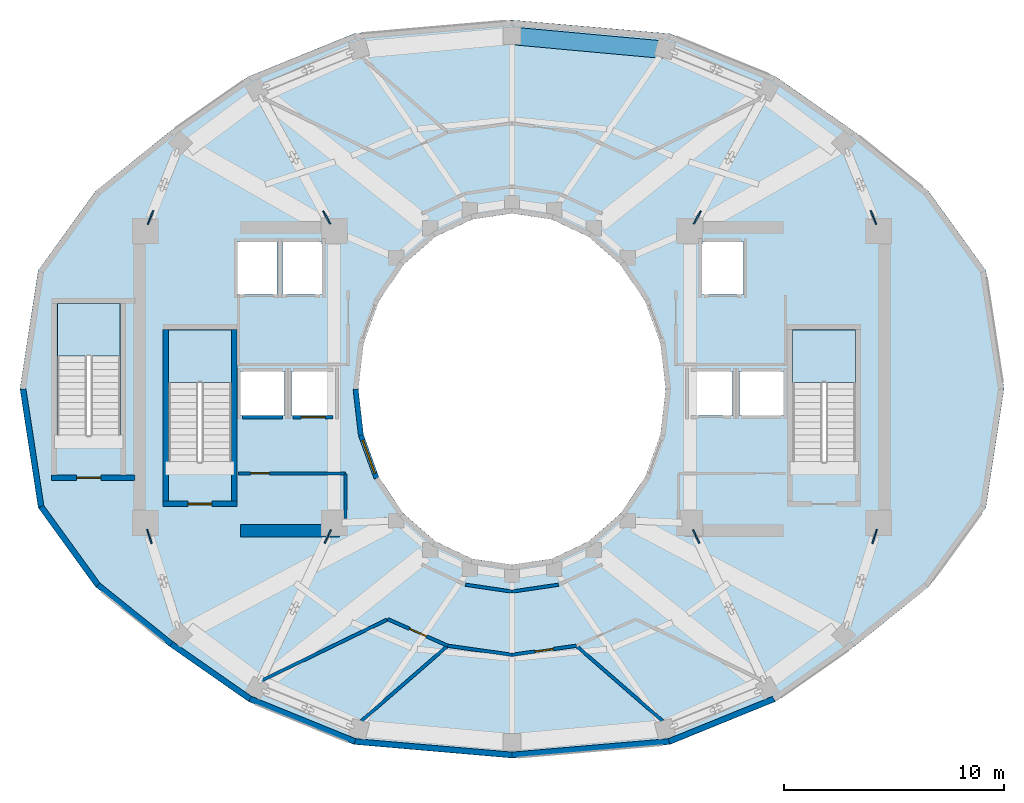
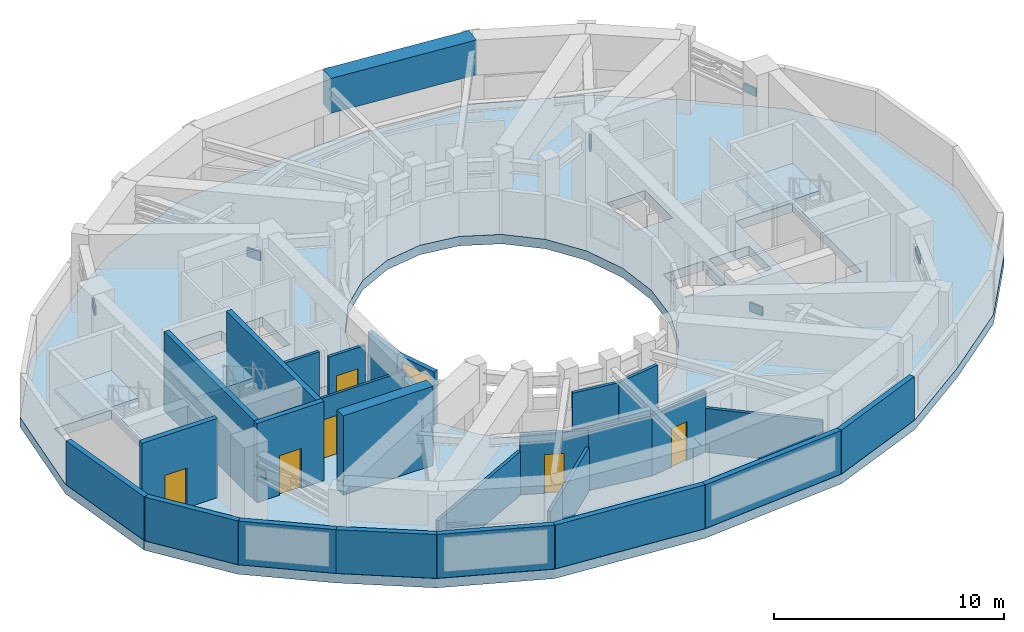
# One storey, part 3 of 10: 27 walls, 8 plates, 6 doors, 4 slabs, 1 beam, 1 window, 7 openings, 3 elements without a shape of their own.
"""IFC4 building model written with IfcOpenShell, lengths in metres."""

from ifc_helpers import new_model, si_unit, direction, frame, frame_2d, origin, origin_2d, place, context, subcontext, project, spatial, polyline, rectangle, outline, extrude, material, layer, layer_set, material_profile, profile_set, type_object, element, fill, aggregate, save


model = new_model("IFC4")

# Units and contexts
model_context = context("Model", 3, precision=1e-05, world=origin(), true_north=direction((0.0, 1.0)))
body_context = subcontext(model_context, "Body", "Model", "MODEL_VIEW")
ifc_project = project(units=[si_unit("LENGTHUNIT", "METRE"), si_unit("AREAUNIT", "SQUARE_METRE"), si_unit("VOLUMEUNIT", "CUBIC_METRE"), si_unit("PLANEANGLEUNIT", "RADIAN"), si_unit("MASSUNIT", "GRAM", prefix="KILO")], contexts=[model_context])

# Site, building, storey
site_placement = place(None, origin())
site = spatial("IfcSite", under=ifc_project, at=site_placement, CompositionType="ELEMENT")
building_placement = place(site_placement, origin())
building = spatial("IfcBuilding", under=site, at=building_placement, Name="Solvane Sanctuary Tower", CompositionType="ELEMENT")
storey_placement = place(building_placement, frame((0.0, 0.0, 193.199951171875)))
storey = spatial("IfcBuildingStorey", under=building, at=storey_placement, Name="L59", CompositionType="ELEMENT", Elevation=193.199951171875)

# Beam
ifc_material_1 = material(Name="Concrete C70/85", Category="concrete")
ifc_material_profile = material_profile(ifc_material_1, rectangle(XDim=0.800048828125, YDim=1.85009765625, at=origin_2d()), Name="RC800X1850")
ifc_profile_set = profile_set([ifc_material_profile], Name="Concrete C70/85")
beam_type = type_object("IfcBeamType", Name="Beam B-XFER-BLK RC800X1850", PredefinedType="BEAM", material=ifc_profile_set)
beam_placement = place(storey_placement, frame((32.0, 39.080078125, 3.275146484375), z_axis=(0.995867646348, -0.09081646854, 0.0), x_axis=(0.09081646854, 0.995867646348, 0.0)))
element("IfcBeam", 1, at=beam_placement, inside=storey, type_object=beam_type, Name="L59 Perimeter Step Transfer Ring NTC04-NTC03", PredefinedType="BEAM", context=body_context, shape_type="SweptSolid", body=[
    extrude(rectangle(XDim=0.800048828125, YDim=1.85009765625, at=origin_2d()), origin(), (0.0, 0.0, 1.0), 6.978759765625),
])

# Plates
ifc_material_2 = material(Name="Steel ASTM A572 Grade 50", Category="steel")
ifc_layer_1 = layer(ifc_material_2, 0.070068359375, Name="Steel ASTM A572 Grade 50")
ifc_layer_set_1 = layer_set([ifc_layer_1], Name="Steel ASTM A572 Grade 50")
plate_type = type_object("IfcPlateType", Name="Plate PL-GUSSET-B", PredefinedType="USERDEFINED", material=ifc_layer_set_1)
for number, where, z_axis, x_axis, name in (
    (2, (15.542724609375, 30.809326171875, 2.38525390625), (0.0, 0.0, 1.0), (0.370233199244, 0.92893884523, 0.0), "L59 Outrigger Core Gusset Plate OW1"),
    (3, (23.56640625, 30.808837890625, 2.38525390625), (0.0, 0.0, 1.0), (-0.480376581014, 0.877062335535, 0.0), "L59 Outrigger Core Gusset Plate OW2"),
    (4, (15.490478515625, 16.29052734375, 2.38525390625), (0.0, 0.0, 1.0), (0.298374534012, -0.954448865814, 0.0), "L59 Outrigger Core Gusset Plate OW3"),
    (5, (23.615234375, 16.291015625, 2.38525390625), (0.0, 0.0, 1.0), (-0.423567113136, -0.90586472537, 0.0), "L59 Outrigger Core Gusset Plate OW4"),
    (6, (48.457275390625, 30.809326171875, 2.38525390625), (0.0, 0.0, 1.0), (-0.370233199244, 0.92893884523, 0.0), "L59 Outrigger Core Gusset Plate OE1"),
    (7, (40.43359375, 30.808837890625, 2.38525390625), (0.0, 0.0, 1.0), (0.480376581014, 0.877062335535, 0.0), "L59 Outrigger Core Gusset Plate OE2"),
    (8, (48.509521484375, 16.29052734375, 2.38525390625), (0.0, 0.0, 1.0), (-0.298374534012, -0.954448865814, 0.0), "L59 Outrigger Core Gusset Plate OE3"),
    (9, (40.384765625, 16.291015625, 2.38525390625), (0.0, 0.0, 1.0), (0.423567113136, -0.90586472537, 0.0), "L59 Outrigger Core Gusset Plate OE4"),
):
    element("IfcPlate", number, at=place(storey_placement, frame(where, z_axis=z_axis, x_axis=x_axis)), inside=storey, type_object=plate_type, Name=name, ObjectType="GUSSET PLATE", PredefinedType="USERDEFINED", context=body_context, shape_type="SweptSolid", body=[
        extrude(rectangle(XDim=0.679931640625, YDim=0.070068359375, at=origin_2d()), origin(), (0.0, 0.0, 1.0), 0.449951171875),
    ])

# Stair, slab
ifc_material_3 = material(Name="Concrete C45/55", Category="concrete")
stair_type = type_object("IfcStairType", Name="Stair ST-TOW", PredefinedType="HALF_TURN_STAIR", material=ifc_material_3)
stair_1_placement = place(storey_placement, origin())
stair_1 = element("IfcStair", 10, at=stair_1_placement, inside=storey, type_object=stair_type, Name="L59 Exit Stair ST-1 West Core", PredefinedType="HALF_TURN_STAIR")
ifc_layer_2 = layer(ifc_material_3, 0.199951171875, Name="Concrete C45/55")
ifc_layer_set_2 = layer_set([ifc_layer_2], Name="Concrete C45/55")
slab_type_1 = type_object("IfcSlabType", Name="Slab SL-LAND-180", PredefinedType="LANDING", material=ifc_layer_set_2)
slab_1_placement = place(storey_placement, frame((0.0, 0.0, 1.900146484375)))
slab_1 = element("IfcSlab", 11, at=slab_1_placement, type_object=slab_type_1, Name="ST-1 landing 1", PredefinedType="LANDING", context=body_context, shape_type="SweptSolid", body=[
    extrude(outline(polyline([(19.219970703125, 23.300048828125), (19.219970703125, 25.699951171875), (16.360107421875, 25.699951171875), (16.360107421875, 23.300048828125), (19.219970703125, 23.300048828125)])), origin(), (0.0, 0.0, 1.0), 0.199951171875),
])
aggregate(stair_1, [slab_1])

stair_2_placement = place(storey_placement, origin())
stair_2 = element("IfcStair", 12, at=stair_2_placement, inside=storey, type_object=stair_type, Name="L59 Exit Stair ST-2 East Core", PredefinedType="HALF_TURN_STAIR")
slab_2_placement = place(storey_placement, frame((0.0, 0.0, 1.900146484375)))
slab_2 = element("IfcSlab", 13, at=slab_2_placement, type_object=slab_type_1, Name="ST-2 landing 1", PredefinedType="LANDING", context=body_context, shape_type="SweptSolid", body=[
    extrude(outline(polyline([(47.639892578125, 23.300048828125), (47.639892578125, 25.699951171875), (44.780029296875, 25.699951171875), (44.780029296875, 23.300048828125), (47.639892578125, 23.300048828125)])), origin(), (0.0, 0.0, 1.0), 0.199951171875),
])
aggregate(stair_2, [slab_2])

stair_3_placement = place(storey_placement, origin())
stair_3 = element("IfcStair", 14, at=stair_3_placement, inside=storey, type_object=stair_type, Name="L59 Exit Stair ST-3 Pilgrim Tower Stair", PredefinedType="HALF_TURN_STAIR")
slab_3_placement = place(storey_placement, frame((0.0, 0.0, 1.900146484375)))
slab_3 = element("IfcSlab", 15, at=slab_3_placement, type_object=slab_type_1, Name="ST-3 landing 1", PredefinedType="LANDING", context=body_context, shape_type="SweptSolid", body=[
    extrude(outline(polyline([(14.159912109375, 24.5), (14.159912109375, 26.89990234375), (11.300048828125, 26.89990234375), (11.300048828125, 24.5), (14.159912109375, 24.5)])), origin(), (0.0, 0.0, 1.0), 0.199951171875),
])
aggregate(stair_3, [slab_3])

# Slab
ifc_material_4 = material(Name="Concrete C60/75", Category="concrete")
ifc_layer_3 = layer(ifc_material_4, 0.5, Name="Concrete C60/75")
ifc_layer_set_3 = layer_set([ifc_layer_3], Name="Concrete C60/75")
slab_type_2 = type_object("IfcSlabType", Name="Slab SL-XFER-500", PredefinedType="FLOOR", material=ifc_layer_set_3)
slab_4_placement = place(storey_placement, frame((0.0, 0.0, -0.5)))
element("IfcSlab", 16, at=slab_4_placement, inside=storey, type_object=slab_type_2, Name="L59 Primary Structural Slab", PredefinedType="FLOOR", context=body_context, shape_type="SweptSolid", body=[
    extrude(outline(polyline([(54.39990234375, 23.0), (53.57177734375, 28.399169921875), (50.96630859375, 32.0), (47.6064453125, 34.704833984375), (44.0, 37.224609375), (39.19873046875, 39.1787109375), (32.0, 39.800048828125), (24.80126953125, 39.1787109375), (20.0, 37.224609375), (16.3935546875, 34.704833984375), (13.03369140625, 32.0), (10.42822265625, 28.399169921875), (9.60009765625, 23.0), (10.42822265625, 17.600830078125), (13.03369140625, 14.0), (16.3935546875, 11.295166015625), (20.0, 8.775390625), (24.80126953125, 6.8212890625), (32.0, 6.199951171875), (39.19873046875, 6.8212890625), (44.0, 8.775390625), (47.6064453125, 11.295166015625), (50.96630859375, 14.0), (53.57177734375, 17.600830078125), (54.39990234375, 23.0)]), holes=[polyline([(38.761474609375, 20.929443359375), (38.062255859375, 19.0), (36.94970703125, 17.343017578125), (35.5, 16.07177734375), (33.811767578125, 15.272705078125), (32.0, 15.0), (30.188232421875, 15.272705078125), (28.5, 16.07177734375), (27.05029296875, 17.343017578125), (25.937744140625, 19.0), (25.238525390625, 20.929443359375), (25.0, 23.0), (25.238525390625, 25.070556640625), (25.937744140625, 27.0), (27.05029296875, 28.656982421875), (28.5, 29.92822265625), (30.188232421875, 30.727294921875), (32.0, 31.0), (33.811767578125, 30.727294921875), (35.5, 29.92822265625), (36.94970703125, 28.656982421875), (38.062255859375, 27.0), (38.761474609375, 25.070556640625), (39.0, 23.0), (38.761474609375, 20.929443359375)]), polyline([(16.360107421875, 19.699951171875), (16.360107421875, 25.699951171875), (19.219970703125, 25.699951171875), (19.219970703125, 19.699951171875), (16.360107421875, 19.699951171875)]), polyline([(44.780029296875, 19.699951171875), (44.780029296875, 25.699951171875), (47.639892578125, 25.699951171875), (47.639892578125, 19.699951171875), (44.780029296875, 19.699951171875)]), polyline([(11.300048828125, 20.89990234375), (11.300048828125, 26.89990234375), (14.159912109375, 26.89990234375), (14.159912109375, 20.89990234375), (11.300048828125, 20.89990234375)]), polyline([(19.64990234375, 23.800048828125), (21.64990234375, 23.800048828125), (21.64990234375, 21.800048828125), (19.64990234375, 21.800048828125), (19.64990234375, 23.800048828125)]), polyline([(42.35009765625, 23.800048828125), (44.35009765625, 23.800048828125), (44.35009765625, 21.800048828125), (42.35009765625, 21.800048828125), (42.35009765625, 23.800048828125)]), polyline([(21.949951171875, 23.800048828125), (23.949951171875, 23.800048828125), (23.949951171875, 21.800048828125), (21.949951171875, 21.800048828125), (21.949951171875, 23.800048828125)]), polyline([(40.050048828125, 23.800048828125), (42.050048828125, 23.800048828125), (42.050048828125, 21.800048828125), (40.050048828125, 21.800048828125), (40.050048828125, 23.800048828125)]), polyline([(19.5, 29.699951171875), (21.300048828125, 29.699951171875), (21.300048828125, 27.300048828125), (19.5, 27.300048828125), (19.5, 29.699951171875)]), polyline([(21.550048828125, 29.699951171875), (23.35009765625, 29.699951171875), (23.35009765625, 27.300048828125), (21.550048828125, 27.300048828125), (21.550048828125, 29.699951171875)]), polyline([(40.64990234375, 29.699951171875), (42.550048828125, 29.699951171875), (42.550048828125, 27.300048828125), (40.64990234375, 27.300048828125), (40.64990234375, 29.699951171875)])]), origin(), (0.0, 0.0, 1.0), 0.5),
])

# Walls
ifc_material_5 = material(Name="Concrete C50/60", Category="concrete")
ifc_layer_4 = layer(ifc_material_5, 0.550048828125, Name="Concrete C50/60")
ifc_layer_set_4 = layer_set([ifc_layer_4], Name="Concrete C50/60")
wall_type_1 = type_object("IfcWallType", Name="Wall W-CORE-550", PredefinedType="SHEAR", material=ifc_layer_set_4)
wall_1_placement = place(storey_placement, frame((19.64990234375, 16.550048828125, 0.0), z_axis=(0.0, 0.0, 1.0), x_axis=(1.0, 0.0, 0.0)))
element("IfcWall", 17, at=wall_1_placement, inside=storey, type_object=wall_type_1, Name="L59 Core Shear Wall WC-S", PredefinedType="SHEAR", context=body_context, shape_type="SweptSolid", body=[
    extrude(rectangle(XDim=4.5, YDim=0.550048828125, at=frame_2d((2.25, 0.0))), origin(), (0.0, 0.0, 1.0), 4.199951171875),
])
ifc_material_6 = material(Name="Acoustic Gypsum Partition Board")
ifc_layer_5 = layer(ifc_material_6, 0.14990234375, Name="Acoustic Gypsum Partition Board")
ifc_layer_set_5 = layer_set([ifc_layer_5], Name="Acoustic Gypsum Partition Board")
wall_type_2 = type_object("IfcWallType", Name="Wall W-CORR-150", PredefinedType="PARTITIONING", material=ifc_layer_set_5)
for number, where, z_axis, x_axis, name in (
    (18, (29.87255859375, 14.09423828125, 0.0), (0.0, 0.0, 1.0), (0.989268584896, -0.146108408166, 0.0), "L59 Light-Well Corridor Rim Wall S2"),
    (19, (32.0, 13.780029296875, 0.0), (0.0, 0.0, 1.0), (0.989268584896, 0.146108408166, 0.0), "L59 Light-Well Corridor Rim Wall S3"),
):
    element("IfcWall", number, at=place(storey_placement, frame(where, z_axis=z_axis, x_axis=x_axis)), inside=storey, type_object=wall_type_2, Name=name, PredefinedType="PARTITIONING", context=body_context, shape_type="SweptSolid", body=[
        extrude(rectangle(XDim=2.150634765625, YDim=0.14990234375, at=frame_2d((1.0751953125, 0.0))), origin(), (0.0, 0.0, 1.0), 3.196044921875),
    ])
wall_2_placement = place(storey_placement, frame((26.300537109375, 12.4970703125, 0.0), z_axis=(0.0, 0.0, 1.0), x_axis=(-0.899365131214, -0.437198308273, 0.0)))
element("IfcWall", 20, at=wall_2_placement, inside=storey, type_object=wall_type_2, Name="L59 Mechanical Plant Radial Wall 240", PredefinedType="PARTITIONING", context=body_context, shape_type="SweptSolid", body=[
    extrude(rectangle(XDim=6.365478515625, YDim=0.14990234375, at=frame_2d((3.1826171875, 0.0))), origin(), (0.0, 0.0, 1.0), 2.320068359375),
])
for number, where, z_axis, x_axis, name in (
    (21, (29.03369140625, 11.276123046875, 0.0), (0.0, 0.0, 1.0), (-0.754512026555, -0.656286219407, 0.0), "L59 Mechanical Plant Radial Wall 255"),
    (22, (34.96630859375, 11.276123046875, 0.0), (0.0, 0.0, 1.0), (0.754512026555, -0.656286219407, 0.0), "L59 Mechanical Plant Radial Wall 285"),
):
    element("IfcWall", number, at=place(storey_placement, frame(where, z_axis=z_axis, x_axis=x_axis)), inside=storey, type_object=wall_type_2, Name=name, PredefinedType="PARTITIONING", context=body_context, shape_type="SweptSolid", body=[
        extrude(rectangle(XDim=5.17236328125, YDim=0.14990234375, at=frame_2d((2.586181640625, 0.0))), origin(), (0.0, 0.0, 1.0), 2.320068359375),
    ])

# Wall, opening, door
wall_3_placement = place(storey_placement, frame((26.34326171875, 12.525390625, 0.0), z_axis=(0.0, 0.0, 1.0), x_axis=(0.914100192658, -0.405488394141, 0.0)))
wall_3 = element("IfcWall", 23, at=wall_3_placement, inside=storey, type_object=wall_type_2, Name="L59 Plant Corridor Wall 3", PredefinedType="PARTITIONING", context=body_context, shape_type="SweptSolid", body=[
    extrude(rectangle(XDim=2.997314453125, YDim=0.14990234375, at=frame_2d((1.49853515625, 0.0))), origin(), (0.0, 0.0, 1.0), 3.196044921875),
])
opening_1_placement = place(wall_3_placement, frame((1.073486328125, 0.0, 0.0)))
opening_1 = element("IfcOpeningElement", 24, at=opening_1_placement, cuts=wall_3, Name="Opening D-L59-10", PredefinedType="OPENING", context=body_context, shape_type="SweptSolid", body=[
    extrude(rectangle(XDim=0.85009765625, YDim=2.050048828125, at=frame_2d((0.425048828125, 1.02490234375))), frame((0.0, 0.0849609375, 0.0), z_axis=(0.0, -1.0, 0.0), x_axis=(1.0, 0.0, 0.0)), (0.0, 0.0, 1.0), 0.169921875),
])
ifc_material_7 = material(Name="Architectural Stainless Steel 316", Category="steel")
door_type_1 = type_object("IfcDoorType", Name="Door D-RISER", OperationType="NOTDEFINED", PredefinedType="DOOR", material=ifc_material_7)
door_1_placement = place(opening_1_placement, origin())
door_1 = element("IfcDoor", 25, at=door_1_placement, inside=storey, type_object=door_type_1, Name="L59 Plant Room Door 3", OperationType="SINGLE_SWING_RIGHT", OverallHeight=2.050048828125, OverallWidth=0.85009765625, PredefinedType="DOOR", context=body_context, shape_type="SweptSolid", body=[
    extrude(rectangle(XDim=0.85009765625, YDim=2.050048828125, at=frame_2d((0.425048828125, 1.02490234375))), frame((0.0, 0.02490234375, 0.0), z_axis=(0.0, -1.0, 0.0), x_axis=(1.0, 0.0, 0.0)), (0.0, 0.0, 1.0), 0.050048828125),
])
fill(opening_1, door_1)

# Wall
wall_4_placement = place(storey_placement, frame((29.067626953125, 11.314453125, 0.0), z_axis=(0.0, 0.0, 1.0), x_axis=(0.990167445312, -0.139887205436, 0.0)))
element("IfcWall", 26, at=wall_4_placement, inside=storey, type_object=wall_type_2, Name="L59 Plant Corridor Wall 4", PredefinedType="PARTITIONING", context=body_context, shape_type="SweptSolid", body=[
    extrude(rectangle(XDim=2.96337890625, YDim=0.14990234375, at=frame_2d((1.481689453125, 0.0))), origin(), (0.0, 0.0, 1.0), 3.196044921875),
])

# Wall, opening, door
wall_5_placement = place(storey_placement, frame((31.998046875, 10.89990234375, 0.0), z_axis=(0.0, 0.0, 1.0), x_axis=(0.990167445312, 0.139887205436, 0.0)))
wall_5 = element("IfcWall", 27, at=wall_5_placement, inside=storey, type_object=wall_type_2, Name="L59 Plant Corridor Wall 4", PredefinedType="PARTITIONING", context=body_context, shape_type="SweptSolid", body=[
    extrude(rectangle(XDim=2.96337890625, YDim=0.14990234375, at=frame_2d((1.481689453125, 0.0))), origin(), (0.0, 0.0, 1.0), 3.196044921875),
])
opening_2_placement = place(wall_5_placement, frame((1.056640625, 0.0, 0.0)))
opening_2 = element("IfcOpeningElement", 28, at=opening_2_placement, cuts=wall_5, Name="Opening D-L59-11", PredefinedType="OPENING", context=body_context, shape_type="SweptSolid", body=[
    extrude(rectangle(XDim=0.85009765625, YDim=2.050048828125, at=frame_2d((0.425048828125, 1.02490234375))), frame((0.0, 0.0849609375, 0.0), z_axis=(0.0, -1.0, 0.0), x_axis=(1.0, 0.0, 0.0)), (0.0, 0.0, 1.0), 0.169921875),
])
door_2_placement = place(opening_2_placement, origin())
door_2 = element("IfcDoor", 29, at=door_2_placement, inside=storey, type_object=door_type_1, Name="L59 Plant Room Door 4", OperationType="SINGLE_SWING_LEFT", OverallHeight=2.050048828125, OverallWidth=0.85009765625, PredefinedType="DOOR", context=body_context, shape_type="SweptSolid", body=[
    extrude(rectangle(XDim=0.85009765625, YDim=2.050048828125, at=frame_2d((0.425048828125, 1.02490234375))), frame((0.0, 0.02490234375, 0.0), z_axis=(0.0, -1.0, 0.0), x_axis=(1.0, 0.0, 0.0)), (0.0, 0.0, 1.0), 0.050048828125),
])
fill(opening_2, door_2)

# Walls
ifc_material_8 = material(Name="Precast concrete C40/50", Category="concrete")
ifc_layer_6 = layer(ifc_material_8, 0.260009765625, Name="Precast concrete C40/50")
ifc_layer_set_6 = layer_set([ifc_layer_6], Name="Precast concrete C40/50")
wall_type_3 = type_object("IfcWallType", Name="Wall W-EXT-250", PredefinedType="STANDARD", material=ifc_layer_set_6)
wall_6_placement = place(storey_placement, frame((9.739990234375, 23.0, 0.0), z_axis=(0.0, 0.0, 1.0), x_axis=(0.151931872057, -0.988390968318, 0.0)))
element("IfcWall", 30, at=wall_6_placement, inside=storey, type_object=wall_type_3, Name="L59 Mechanical Plant Perimeter Wall 12", PredefinedType="STANDARD", context=body_context, shape_type="SweptSolid", body=[
    extrude(rectangle(XDim=5.4169921875, YDim=0.260009765625, at=frame_2d((2.70849609375, 0.0))), origin(), (0.0, 0.0, 1.0), 2.320068359375),
])
wall_7_placement = place(storey_placement, frame((10.56298828125, 17.64599609375, 0.0), z_axis=(0.0, 0.0, 1.0), x_axis=(0.587019267557, -0.809572961207, 0.0)))
element("IfcWall", 31, at=wall_7_placement, inside=storey, type_object=wall_type_3, Name="L59 Mechanical Plant Perimeter Wall 13", PredefinedType="STANDARD", context=body_context, shape_type="SweptSolid", body=[
    extrude(rectangle(XDim=4.4111328125, YDim=0.260009765625, at=frame_2d((2.20556640625, 0.0))), origin(), (0.0, 0.0, 1.0), 2.320068359375),
])
wall_8_placement = place(storey_placement, frame((13.15234375, 14.074951171875, 0.0), z_axis=(0.0, 0.0, 1.0), x_axis=(0.779582489695, -0.626299562319, 0.0)))
element("IfcWall", 32, at=wall_8_placement, inside=storey, type_object=wall_type_3, Name="L59 Mechanical Plant Perimeter Wall 14", PredefinedType="STANDARD", context=body_context, shape_type="SweptSolid", body=[
    extrude(rectangle(XDim=4.282958984375, YDim=0.260009765625, at=frame_2d((2.1416015625, 0.0))), origin(), (0.0, 0.0, 1.0), 2.320068359375),
])
wall_9_placement = place(storey_placement, frame((16.4912109375, 11.392578125, 0.0), z_axis=(0.0, 0.0, 1.0), x_axis=(0.820288529478, -0.571949935228, 0.0)))
element("IfcWall", 33, at=wall_9_placement, inside=storey, type_object=wall_type_3, Name="L59 Mechanical Plant Perimeter Wall 15", PredefinedType="STANDARD", context=body_context, shape_type="SweptSolid", body=[
    extrude(rectangle(XDim=4.368896484375, YDim=0.260009765625, at=frame_2d((2.1845703125, 0.0))), origin(), (0.0, 0.0, 1.0), 2.320068359375),
])
wall_10_placement = place(storey_placement, frame((20.074951171875, 8.893798828125, 0.0), z_axis=(0.0, 0.0, 1.0), x_axis=(0.926505317676, -0.376281671514, 0.0)))
element("IfcWall", 34, at=wall_10_placement, inside=storey, type_object=wall_type_3, Name="L59 Mechanical Plant Perimeter Wall 16", PredefinedType="STANDARD", context=body_context, shape_type="SweptSolid", body=[
    extrude(rectangle(XDim=5.149658203125, YDim=0.260009765625, at=frame_2d((2.57470703125, 0.0))), origin(), (0.0, 0.0, 1.0), 2.320068359375),
])
for number, where, z_axis, x_axis, name in (
    (35, (24.84619140625, 6.9560546875, 0.0), (0.0, 0.0, 1.0), (0.996313592678, -0.085785925682, 0.0), "L59 Mechanical Plant Perimeter Wall 17"),
    (36, (32.0, 6.340087890625, 0.0), (0.0, 0.0, 1.0), (0.996313592678, 0.085785925682, 0.0), "L59 Mechanical Plant Perimeter Wall 18"),
):
    element("IfcWall", number, at=place(storey_placement, frame(where, z_axis=z_axis, x_axis=x_axis)), inside=storey, type_object=wall_type_3, Name=name, PredefinedType="STANDARD", context=body_context, shape_type="SweptSolid", body=[
        extrude(rectangle(XDim=7.18017578125, YDim=0.260009765625, at=frame_2d((3.590087890625, 0.0))), origin(), (0.0, 0.0, 1.0), 2.320068359375),
    ])
wall_11_placement = place(storey_placement, frame((39.15380859375, 6.9560546875, 0.0), z_axis=(0.0, 0.0, 1.0), x_axis=(0.926505317676, 0.376281671514, 0.0)))
element("IfcWall", 37, at=wall_11_placement, inside=storey, type_object=wall_type_3, Name="L59 Mechanical Plant Perimeter Wall 19", PredefinedType="STANDARD", context=body_context, shape_type="SweptSolid", body=[
    extrude(rectangle(XDim=5.149658203125, YDim=0.260009765625, at=frame_2d((2.57470703125, 0.0))), origin(), (0.0, 0.0, 1.0), 2.320068359375),
])
ifc_layer_7 = layer(ifc_material_8, 0.22998046875, Name="Precast concrete C40/50")
ifc_layer_set_7 = layer_set([ifc_layer_7], Name="Precast concrete C40/50")
wall_type_4 = type_object("IfcWallType", Name="Wall W-EXT-SP220", PredefinedType="STANDARD", material=ifc_layer_set_7)
wall_12_placement = place(storey_placement, frame((24.8798828125, 23.0, 0.0), z_axis=(0.0, 0.0, 1.0), x_axis=(0.114711713601, -0.993398823617, 0.0)))
element("IfcWall", 38, at=wall_12_placement, inside=storey, type_object=wall_type_4, Name="L59 Central Light-Well Wall 12", PredefinedType="STANDARD", context=body_context, shape_type="SweptSolid", body=[
    extrude(rectangle(XDim=2.115478515625, YDim=0.22998046875, at=frame_2d((1.0576171875, 0.0))), origin(), (0.0, 0.0, 1.0), 2.800048828125),
])

# Wall, opening, window
wall_13_placement = place(storey_placement, frame((25.12255859375, 20.8984375, 0.0), z_axis=(0.0, 0.0, 1.0), x_axis=(0.341423187295, -0.93990968033, 0.0)))
wall_13 = element("IfcWall", 39, at=wall_13_placement, inside=storey, type_object=wall_type_4, Name="L59 Central Light-Well Wall 13", PredefinedType="STANDARD", context=body_context, shape_type="SweptSolid", body=[
    extrude(rectangle(XDim=2.083740234375, YDim=0.22998046875, at=frame_2d((1.0419921875, 0.0))), origin(), (0.0, 0.0, 1.0), 2.800048828125),
])
opening_3_placement = place(wall_13_placement, frame((0.24169921875, 0.0, 0.85009765625)))
opening_3 = element("IfcOpeningElement", 40, at=opening_3_placement, cuts=wall_13, Name="Opening WN-WELL-1600", PredefinedType="OPENING", context=body_context, shape_type="SweptSolid", body=[
    extrude(rectangle(XDim=1.60009765625, YDim=1.64990234375, at=frame_2d((0.800048828125, 0.824951171875))), frame((0.0, 0.125, 0.0), z_axis=(0.0, -1.0, 0.0), x_axis=(1.0, 0.0, 0.0)), (0.0, 0.0, 1.0), 0.25),
])
ifc_material_9 = material(Name="Clear Laminated Light-Well Glass", Category="glass")
window_type = type_object("IfcWindowType", Name="Window WN-WELL-1600", PartitioningType="SINGLE_PANEL", PredefinedType="WINDOW", material=ifc_material_9)
window_placement = place(opening_3_placement, origin())
window = element("IfcWindow", 41, at=window_placement, inside=storey, type_object=window_type, Name="L59 Light-Well Daylight Window 13", OverallHeight=1.64990234375, OverallWidth=1.60009765625, PartitioningType="SINGLE_PANEL", PredefinedType="WINDOW", context=body_context, shape_type="SweptSolid", body=[
    extrude(rectangle(XDim=1.60009765625, YDim=1.64990234375, at=frame_2d((0.800048828125, 0.824951171875))), frame((0.0, 0.030029296875, 0.0), z_axis=(0.0, -1.0, 0.0), x_axis=(1.0, 0.0, 0.0)), (0.0, 0.0, 1.0), 0.06005859375),
])
fill(opening_3, window)

# Wall, opening, door
ifc_layer_8 = layer(ifc_material_6, 0.125, Name="Acoustic Gypsum Partition Board")
ifc_layer_set_8 = layer_set([ifc_layer_8], Name="Acoustic Gypsum Partition Board")
wall_type_5 = type_object("IfcWallType", Name="Wall W-PART-125", PredefinedType="PARTITIONING", material=ifc_layer_set_8)
wall_14_placement = place(storey_placement, frame((19.550048828125, 19.159912109375, 0.0), z_axis=(0.0, 0.0, 1.0), x_axis=(1.0, 0.0, 0.0)))
wall_14 = element("IfcWall", 42, at=wall_14_placement, inside=storey, type_object=wall_type_5, Name="L59 Reclaimed Room Partition PLW", PredefinedType="PARTITIONING", context=body_context, shape_type="SweptSolid", body=[
    extrude(rectangle(XDim=4.869873046875, YDim=0.125, at=frame_2d((2.43505859375, 0.0))), origin(), (0.0, 0.0, 1.0), 3.219970703125),
])
opening_4_placement = place(wall_14_placement, frame((0.550048828125, 0.0, 0.0)))
opening_4 = element("IfcOpeningElement", 43, at=opening_4_placement, cuts=wall_14, Name="Opening D-L59-06", PredefinedType="OPENING", context=body_context, shape_type="SweptSolid", body=[
    extrude(rectangle(XDim=0.85009765625, YDim=2.050048828125, at=frame_2d((0.425048828125, 1.02490234375))), frame((0.0, 0.072509765625, 0.0), z_axis=(0.0, -1.0, 0.0), x_axis=(1.0, 0.0, 0.0)), (0.0, 0.0, 1.0), 0.14501953125),
])
door_3_placement = place(opening_4_placement, origin())
door_3 = element("IfcDoor", 44, at=door_3_placement, inside=storey, type_object=door_type_1, Name="L59 Reclaimed Room Door PLW-1", OperationType="SINGLE_SWING_RIGHT", OverallHeight=2.050048828125, OverallWidth=0.85009765625, PredefinedType="DOOR", context=body_context, shape_type="SweptSolid", body=[
    extrude(rectangle(XDim=0.85009765625, YDim=2.050048828125, at=frame_2d((0.425048828125, 1.02490234375))), frame((0.0, 0.02490234375, 0.0), z_axis=(0.0, -1.0, 0.0), x_axis=(1.0, 0.0, 0.0)), (0.0, 0.0, 1.0), 0.050048828125),
])
fill(opening_4, door_3)

# Walls
wall_15_placement = place(storey_placement, frame((24.419921875, 17.10009765625, 0.0), z_axis=(0.0, 0.0, 1.0), x_axis=(0.0, 1.0, 0.0)))
element("IfcWall", 45, at=wall_15_placement, inside=storey, type_object=wall_type_5, Name="L59 Reclaimed Room Closer Wall PLW-1", PredefinedType="PARTITIONING", context=body_context, shape_type="SweptSolid", body=[
    extrude(rectangle(XDim=2.039794921875, YDim=0.125, at=frame_2d((1.02001953125, 0.0))), origin(), (0.0, 0.0, 1.0), 3.052001953125),
])
ifc_layer_9 = layer(ifc_material_5, 0.14990234375, Name="Concrete C50/60")
ifc_layer_set_9 = layer_set([ifc_layer_9], Name="Concrete C50/60")
wall_type_6 = type_object("IfcWallType", Name="Wall W-SHAFT-150", PredefinedType="SOLIDWALL", material=ifc_layer_set_9)
wall_16_placement = place(storey_placement, frame((19.739990234375, 21.719970703125, 0.0), z_axis=(0.0, 0.0, 1.0), x_axis=(1.0, 0.0, 0.0)))
element("IfcWall", 46, at=wall_16_placement, inside=storey, type_object=wall_type_6, Name="L59 PM-1 Lift Shaft Wall F", PredefinedType="SOLIDWALL", context=body_context, shape_type="SweptSolid", body=[
    extrude(rectangle(XDim=1.820068359375, YDim=0.14990234375, at=frame_2d((0.91015625, 0.0))), origin(), (0.0, 0.0, 1.0), 3.675048828125),
])

# Wall, opening, door
wall_17_placement = place(storey_placement, frame((22.0400390625, 21.719970703125, 0.0), z_axis=(0.0, 0.0, 1.0), x_axis=(1.0, 0.0, 0.0)))
wall_17 = element("IfcWall", 47, at=wall_17_placement, inside=storey, type_object=wall_type_6, Name="L59 PH-1 Lift Shaft Wall F", PredefinedType="SOLIDWALL", context=body_context, shape_type="SweptSolid", body=[
    extrude(rectangle(XDim=1.820068359375, YDim=0.14990234375, at=frame_2d((0.91015625, 0.0))), origin(), (0.0, 0.0, 1.0), 3.219970703125),
])
opening_5_placement = place(wall_17_placement, frame((0.360107421875, 0.0, 0.0)))
opening_5 = element("IfcOpeningElement", 48, at=opening_5_placement, cuts=wall_17, Name="Opening LD-L59-01", PredefinedType="OPENING", context=body_context, shape_type="SweptSolid", body=[
    extrude(rectangle(XDim=1.10009765625, YDim=2.10009765625, at=frame_2d((0.550048828125, 1.050048828125))), frame((0.0, 0.0849609375, 0.0), z_axis=(0.0, -1.0, 0.0), x_axis=(1.0, 0.0, 0.0)), (0.0, 0.0, 1.0), 0.169921875),
])
door_type_2 = type_object("IfcDoorType", Name="Door LD-PASS-1100", OperationType="NOTDEFINED", PredefinedType="DOOR", material=ifc_material_7)
door_4_placement = place(opening_5_placement, origin())
door_4 = element("IfcDoor", 49, at=door_4_placement, inside=storey, type_object=door_type_2, Name="L59 PH-1 Lift Landing Door", OperationType="DOUBLE_DOOR_SLIDING", OverallHeight=2.10009765625, OverallWidth=1.10009765625, PredefinedType="DOOR", context=body_context, shape_type="SweptSolid", body=[
    extrude(rectangle(XDim=1.10009765625, YDim=2.10009765625, at=frame_2d((0.550048828125, 1.050048828125))), frame((0.0, 0.02490234375, 0.0), z_axis=(0.0, -1.0, 0.0), x_axis=(1.0, 0.0, 0.0)), (0.0, 0.0, 1.0), 0.050048828125),
])
fill(opening_5, door_4)

ifc_layer_10 = layer(ifc_material_5, 0.25, Name="Concrete C50/60")
ifc_layer_set_10 = layer_set([ifc_layer_10], Name="Concrete C50/60")
wall_type_7 = type_object("IfcWallType", Name="Wall W-SHAFT-250", PredefinedType="SOLIDWALL", material=ifc_layer_set_10)
wall_18_placement = place(storey_placement, frame((16.10498046875, 17.77001953125, 0.0), z_axis=(0.0, 0.0, 1.0), x_axis=(1.0, 0.0, 0.0)))
wall_18 = element("IfcWall", 50, at=wall_18_placement, inside=storey, type_object=wall_type_7, Name="L59 ST-1 Load-Bearing Shaft Wall S", PredefinedType="SOLIDWALL", context=body_context, shape_type="SweptSolid", body=[
    extrude(rectangle(XDim=3.3701171875, YDim=0.25, at=frame_2d((1.68505859375, 0.0))), origin(), (0.0, 0.0, 1.0), 4.199951171875),
])
opening_6_placement = place(wall_18_placement, frame((1.135009765625, 0.0, 0.0)))
opening_6 = element("IfcOpeningElement", 51, at=opening_6_placement, cuts=wall_18, Name="Opening D-L59-01", PredefinedType="OPENING", context=body_context, shape_type="SweptSolid", body=[
    extrude(rectangle(XDim=1.10009765625, YDim=2.10009765625, at=frame_2d((0.550048828125, 1.050048828125))), frame((0.0, 0.135009765625, 0.0), z_axis=(0.0, -1.0, 0.0), x_axis=(1.0, 0.0, 0.0)), (0.0, 0.0, 1.0), 0.27001953125),
])
door_type_3 = type_object("IfcDoorType", Name="Door D-STAIR", OperationType="NOTDEFINED", PredefinedType="DOOR", material=ifc_material_7)
door_5_placement = place(opening_6_placement, origin())
door_5 = element("IfcDoor", 52, at=door_5_placement, inside=storey, type_object=door_type_3, Name="L59 ST-1 Exit Stair Fire Door", OperationType="SINGLE_SWING_LEFT", OverallHeight=2.10009765625, OverallWidth=1.10009765625, PredefinedType="DOOR", context=body_context, shape_type="SweptSolid", body=[
    extrude(rectangle(XDim=1.10009765625, YDim=2.10009765625, at=frame_2d((0.550048828125, 1.050048828125))), frame((0.0, 0.02490234375, 0.0), z_axis=(0.0, -1.0, 0.0), x_axis=(1.0, 0.0, 0.0)), (0.0, 0.0, 1.0), 0.050048828125),
])
fill(opening_6, door_5)

# Walls
for number, where, z_axis, x_axis, name in (
    (53, (16.22998046875, 17.89501953125, 0.0), (0.0, 0.0, 1.0), (0.0, 1.0, 0.0), "L59 ST-1 Load-Bearing Shaft Wall W"),
    (54, (19.35009765625, 17.89501953125, 0.0), (0.0, 0.0, 1.0), (0.0, 1.0, 0.0), "L59 ST-1 Load-Bearing Shaft Wall E"),
):
    element("IfcWall", number, at=place(storey_placement, frame(where, z_axis=z_axis, x_axis=x_axis)), inside=storey, type_object=wall_type_7, Name=name, PredefinedType="SOLIDWALL", context=body_context, shape_type="SweptSolid", body=[
        extrude(rectangle(XDim=7.81005859375, YDim=0.25, at=frame_2d((3.905029296875, 0.0))), origin(), (0.0, 0.0, 1.0), 4.199951171875),
    ])

# Wall, opening, door
wall_19_placement = place(storey_placement, frame((11.044921875, 18.969970703125, 0.0), z_axis=(0.0, 0.0, 1.0), x_axis=(1.0, 0.0, 0.0)))
wall_19 = element("IfcWall", 55, at=wall_19_placement, inside=storey, type_object=wall_type_7, Name="L59 ST-3 Load-Bearing Shaft Wall S", PredefinedType="SOLIDWALL", context=body_context, shape_type="SweptSolid", body=[
    extrude(rectangle(XDim=3.781982421875, YDim=0.25, at=frame_2d((1.89111328125, 0.0))), origin(), (0.0, 0.0, 1.0), 4.199951171875),
])
opening_7_placement = place(wall_19_placement, frame((1.135009765625, 0.0, 0.0)))
opening_7 = element("IfcOpeningElement", 56, at=opening_7_placement, cuts=wall_19, Name="Opening D-L59-03", PredefinedType="OPENING", context=body_context, shape_type="SweptSolid", body=[
    extrude(rectangle(XDim=1.10009765625, YDim=2.10009765625, at=frame_2d((0.550048828125, 1.050048828125))), frame((0.0, 0.135009765625, 0.0), z_axis=(0.0, -1.0, 0.0), x_axis=(1.0, 0.0, 0.0)), (0.0, 0.0, 1.0), 0.27001953125),
])
door_6_placement = place(opening_7_placement, origin())
door_6 = element("IfcDoor", 57, at=door_6_placement, inside=storey, type_object=door_type_3, Name="L59 ST-3 Exit Stair Fire Door", OperationType="SINGLE_SWING_LEFT", OverallHeight=2.10009765625, OverallWidth=1.10009765625, PredefinedType="DOOR", context=body_context, shape_type="SweptSolid", body=[
    extrude(rectangle(XDim=1.10009765625, YDim=2.10009765625, at=frame_2d((0.550048828125, 1.050048828125))), frame((0.0, 0.02490234375, 0.0), z_axis=(0.0, -1.0, 0.0), x_axis=(1.0, 0.0, 0.0)), (0.0, 0.0, 1.0), 0.050048828125),
])
fill(opening_7, door_6)

save(model, "model.ifc")
